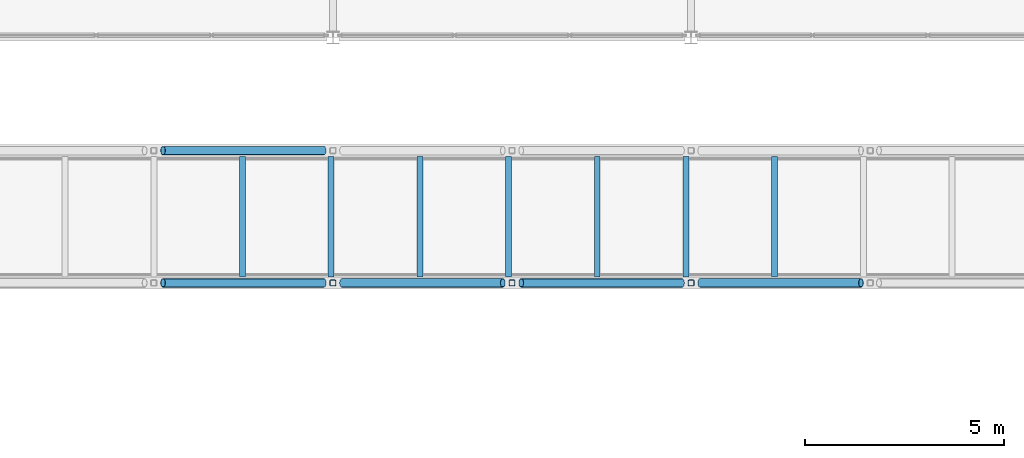
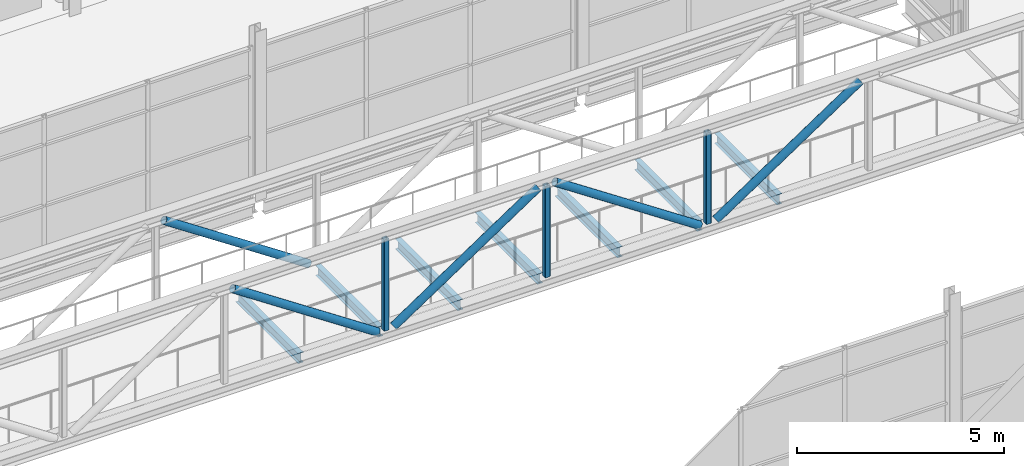
# One storey, part 44 of 94: 8 members, 7 beams.
"""IFC4 building model written with IfcOpenShell, lengths in metres."""

from ifc_helpers import new_model, si_unit, direction, frame, origin, origin_2d, place, context, subcontext, project, spatial, hollow_rectangle, hollow_circle, i_section, extrude, material, material_profile, profile_set, type_object, element, save


model = new_model("IFC4")

# Units and contexts
model_context = context("Model", 3, precision=1e-05, world=origin(), true_north=direction((0.0, 1.0)))
body_context = subcontext(model_context, "Body", "Model", "MODEL_VIEW")
ifc_project = project(units=[si_unit("LENGTHUNIT", "METRE"), si_unit("AREAUNIT", "SQUARE_METRE"), si_unit("VOLUMEUNIT", "CUBIC_METRE"), si_unit("PLANEANGLEUNIT", "RADIAN"), si_unit("MASSUNIT", "GRAM", prefix="KILO")], contexts=[model_context])

# Site, building, storey
site_placement = place(None, origin())
site = spatial("IfcSite", under=ifc_project, at=site_placement, CompositionType="ELEMENT")
building_placement = place(site_placement, origin())
building = spatial("IfcBuilding", under=site, at=building_placement, Name="Shorebreak Coast Museum", CompositionType="ELEMENT")
storey_placement = place(building_placement, frame((0.0, 0.0, 31.0)))
storey = spatial("IfcBuildingStorey", under=building, at=storey_placement, Name="L05", CompositionType="ELEMENT", Elevation=31.0)

# Beams
ifc_material_1 = material(Name="Steel Grade 300", Category="steel")
ifc_material_profile_1 = material_profile(ifc_material_1, i_section(OverallWidth=0.14892578125, OverallDepth=0.298095703125, WebThickness=0.005615234375, FlangeThickness=0.008056640625, FilletRadius=0.012939453125, at=origin_2d()), Name="310UB32.0")
ifc_profile_set_1 = profile_set([ifc_material_profile_1], Name="Steel Grade 300")
beam_type = type_object("IfcBeamType", Name="Atrium bridge cross beam 310UB32.0", PredefinedType="BEAM", material=ifc_profile_set_1)
for number, where, z_axis, x_axis, name in (
    (1, (87.728515625, 74.989990234375, -0.323974609375), (0.0, 1.0, 0.0), (-1.0, 0.0, 0.0), "Atrium bridge cross beam BR3 12"),
    (2, (89.95703125, 74.989990234375, -0.323974609375), (0.0, 1.0, 0.0), (-1.0, 0.0, 0.0), "Atrium bridge cross beam BR3 13"),
    (3, (92.185546875, 74.989990234375, -0.323974609375), (0.0, 1.0, 0.0), (-1.0, 0.0, 0.0), "Atrium bridge cross beam BR3 14"),
    (4, (94.414306640625, 74.989990234375, -0.323974609375), (0.0, 1.0, 0.0), (-1.0, 0.0, 0.0), "Atrium bridge cross beam BR3 15"),
    (5, (96.642822265625, 74.989990234375, -0.323974609375), (0.0, 1.0, 0.0), (-1.0, 0.0, 0.0), "Atrium bridge cross beam BR3 16"),
    (6, (98.871337890625, 74.989990234375, -0.323974609375), (0.0, 1.0, 0.0), (-1.0, 0.0, 0.0), "Atrium bridge cross beam BR3 17"),
    (7, (101.099853515625, 74.989990234375, -0.323974609375), (0.0, 1.0, 0.0), (-1.0, 0.0, 0.0), "Atrium bridge cross beam BR3 18"),
):
    element("IfcBeam", number, at=place(storey_placement, frame(where, z_axis=z_axis, x_axis=x_axis)), inside=storey, type_object=beam_type, Name=name, PredefinedType="BEAM", context=body_context, shape_type="SweptSolid", body=[
        extrude(i_section(OverallWidth=0.14892578125, OverallDepth=0.298095703125, WebThickness=0.005615234375, FlangeThickness=0.008056640625, FilletRadius=0.012939453125, at=origin_2d()), origin(), (0.0, 0.0, 1.0), 3.02001953125),
    ])

# Members
ifc_material_2 = material(Name="Steel Grade C350L0", Category="steel")
ifc_material_profile_2 = material_profile(ifc_material_2, hollow_circle(Radius=0.109619140625, WallThickness=0.00830078125, at=origin_2d()), Name="219.1x8.2 CHS")
ifc_profile_set_2 = profile_set([ifc_material_profile_2], Name="Steel Grade C350L0")
member_type_1 = type_object("IfcMemberType", Name="Atrium bridge truss diagonal 219.1x8.2 CHS", PredefinedType="BRACE", material=ifc_profile_set_2)
for number, where, z_axis, x_axis, name in (
    (8, (89.76904296875, 74.83740234375, -0.175048828125), (-0.832042555046, 0.0, 0.554711804987), (0.0, -1.0, 0.0), "Atrium bridge truss BR3 side A diagonal D06"),
    (9, (90.23095703125, 74.83740234375, -0.175048828125), (0.832042555046, 0.0, 0.554711804987), (0.0, 1.0, 0.0), "Atrium bridge truss BR3 side A diagonal D07"),
    (10, (98.76904296875, 74.83740234375, -0.175048828125), (-0.832042555046, 0.0, 0.554711804987), (0.0, -1.0, 0.0), "Atrium bridge truss BR3 side A diagonal D08"),
    (11, (99.23095703125, 74.83740234375, -0.175048828125), (0.832042555046, 0.0, 0.554711804987), (0.0, 1.0, 0.0), "Atrium bridge truss BR3 side A diagonal D09"),
    (12, (89.76904296875, 78.16259765625, -0.175048828125), (-0.832042555046, 0.0, 0.554711804987), (0.0, -1.0, 0.0), "Atrium bridge truss BR3 side B diagonal D06"),
):
    element("IfcMember", number, at=place(storey_placement, frame(where, z_axis=z_axis, x_axis=x_axis)), inside=storey, type_object=member_type_1, Name=name, PredefinedType="BRACE", context=body_context, shape_type="SweptSolid", body=[
        extrude(hollow_circle(Radius=0.109619140625, WallThickness=0.00830078125, at=origin_2d()), origin(), (0.0, 0.0, 1.0), 4.853271484375),
    ])
ifc_material_3 = material(Name="Steel Grade C450L0", Category="steel")
ifc_material_profile_3 = material_profile(ifc_material_3, hollow_rectangle(XDim=0.14990234375, YDim=0.14990234375, WallThickness=0.009033203125, InnerFilletRadius=0.013427734375, OuterFilletRadius=0.0224609375, at=origin_2d()), Name="150x150x9.0 SHS")
ifc_profile_set_3 = profile_set([ifc_material_profile_3], Name="Steel Grade C450L0")
member_type_2 = type_object("IfcMemberType", Name="Atrium bridge truss strut 150x150x9.0 SHS", PredefinedType="STRUT", material=ifc_profile_set_3)
for number, where, z_axis, x_axis, name in (
    (13, (90.0, 74.83740234375, -0.175048828125), (0.0, 0.0, 1.0), (1.0, 0.0, 0.0), "Atrium bridge truss BR3 side A strut V07"),
    (14, (94.5, 74.83740234375, -0.175048828125), (0.0, 0.0, 1.0), (1.0, 0.0, 0.0), "Atrium bridge truss BR3 side A strut V08"),
    (15, (99.0, 74.83740234375, -0.175048828125), (0.0, 0.0, 1.0), (1.0, 0.0, 0.0), "Atrium bridge truss BR3 side A strut V09"),
):
    element("IfcMember", number, at=place(storey_placement, frame(where, z_axis=z_axis, x_axis=x_axis)), inside=storey, type_object=member_type_2, Name=name, PredefinedType="STRUT", context=body_context, shape_type="SweptSolid", body=[
        extrude(hollow_rectangle(XDim=0.14990234375, YDim=0.14990234375, WallThickness=0.009033203125, InnerFilletRadius=0.013427734375, OuterFilletRadius=0.0224609375, at=origin_2d()), origin(), (0.0, 0.0, 1.0), 2.692138671875),
    ])

save(model, "model.ifc")
